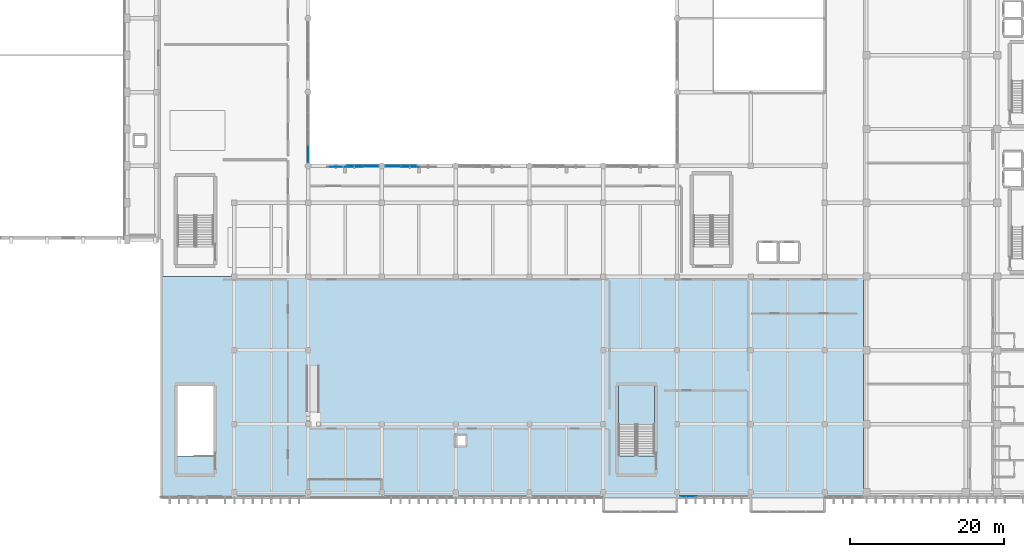
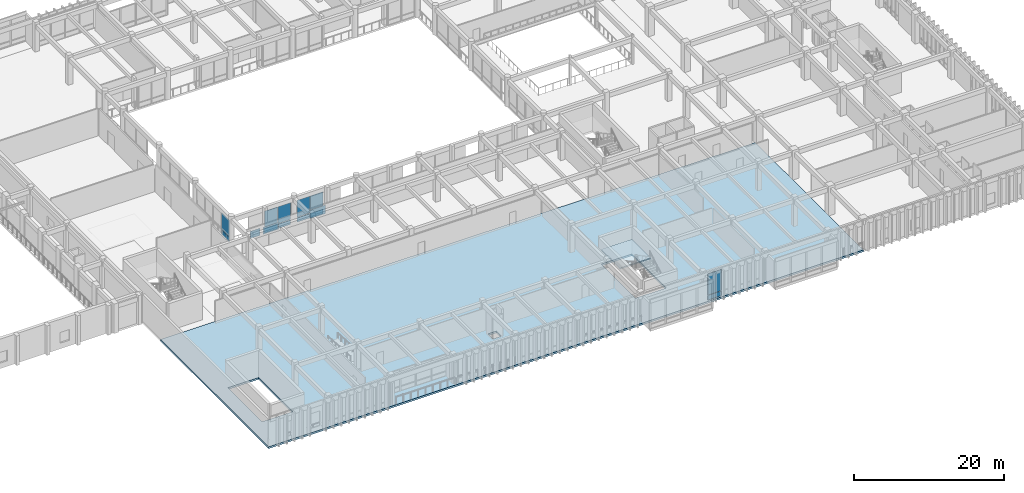
# One storey, part 89 of 133: 15 plates, 2 slabs, 5 elements without a shape of their own.
"""IFC4 building model written with IfcOpenShell, lengths in metres."""

from ifc_helpers import new_model, si_unit, direction, frame, origin, origin_2d, place, context, subcontext, project, spatial, polyline, rectangle, outline, extrude, material, layer, layer_set, type_object, element, aggregate, save


model = new_model("IFC4")

# Units and contexts
model_context = context("Model", 3, precision=1e-05, world=origin(), true_north=direction((0.0, 1.0)))
body_context = subcontext(model_context, "Body", "Model", "MODEL_VIEW")
ifc_project = project(units=[si_unit("LENGTHUNIT", "METRE"), si_unit("AREAUNIT", "SQUARE_METRE"), si_unit("VOLUMEUNIT", "CUBIC_METRE"), si_unit("PLANEANGLEUNIT", "RADIAN"), si_unit("MASSUNIT", "GRAM", prefix="KILO")], contexts=[model_context])

# Site, building, storey
site_placement = place(None, origin())
site = spatial("IfcSite", under=ifc_project, at=site_placement, CompositionType="ELEMENT")
building_placement = place(site_placement, origin())
building = spatial("IfcBuilding", under=site, at=building_placement, Name="Nakhvara Creek Congress Hotel", CompositionType="ELEMENT")
storey_placement = place(building_placement, frame((0.0, 0.0, 11.39990234375)))
storey = spatial("IfcBuildingStorey", under=building, at=storey_placement, Name="L02", CompositionType="ELEMENT", Elevation=11.39990234375)

# Plates
ifc_material_1 = material(Name="Perforated champagne-bronze anodised aluminium sheet", Category="aluminium")
plate_type_1 = type_object("IfcPlateType", Name="PLT-MSH-150X115", PredefinedType="SHEET", material=ifc_material_1)
plate_1_placement = place(storey_placement, frame((80.39990234375, 43.10009765625, 0.020263671875), z_axis=(0.0, 0.0, 1.0), x_axis=(1.0, 0.0, 0.0)))
element("IfcPlate", 1, at=plate_1_placement, inside=storey, type_object=plate_type_1, Name="Mashrabiya Spandrel Plate 011", PredefinedType="SHEET", context=body_context, shape_type="SweptSolid", body=[
    extrude(rectangle(XDim=1.5, YDim=0.033935546875, at=origin_2d()), origin(), (0.0, 0.0, 1.0), 1.14990234375),
])
plate_type_2 = type_object("IfcPlateType", Name="PLT-MSH-240X110", PredefinedType="SHEET", material=ifc_material_1)
plate_2_placement = place(storey_placement, frame((82.800048828125, 43.10009765625, 0.02001953125), z_axis=(0.0, 0.0, 1.0), x_axis=(1.0, 0.0, 0.0)))
element("IfcPlate", 2, at=plate_2_placement, inside=storey, type_object=plate_type_2, Name="Mashrabiya Spandrel Plate 012", PredefinedType="SHEET", context=body_context, shape_type="SweptSolid", body=[
    extrude(rectangle(XDim=2.360107421875, YDim=0.035888671875, at=origin_2d()), origin(), (0.0, 0.0, 1.0), 1.10009765625),
])
plate_type_3 = type_object("IfcPlateType", Name="PLT-MSH-240X140", PredefinedType="SHEET", material=ifc_material_1)
plate_3_placement = place(storey_placement, frame((90.0, 43.10009765625, 0.020263671875), z_axis=(0.0, 0.0, 1.0), x_axis=(1.0, 0.0, 0.0)))
element("IfcPlate", 3, at=plate_3_placement, inside=storey, type_object=plate_type_3, Name="Mashrabiya Spandrel Plate 013", PredefinedType="SHEET", context=body_context, shape_type="SweptSolid", body=[
    extrude(rectangle(XDim=2.360107421875, YDim=0.0380859375, at=origin_2d()), origin(), (0.0, 0.0, 1.0), 1.39990234375),
])

# Curtain wall, plates
ifc_material_2 = material(Name="Bronze-anodised aluminium AW-6063-T6 and double-silver low-E glass", Category="aluminium")
ifc_layer_1 = layer(ifc_material_2, 0.199951171875)
ifc_layer_set_1 = layer_set([ifc_layer_1], Name="Bronze-anodised aluminium AW-6063-T6 and double-silver low-E glass")
curtain_wall_type_1 = type_object("IfcCurtainWallType", Name="CW-POD-STICK", PredefinedType="NOTDEFINED", material=ifc_layer_set_1)
curtain_wall_1_placement = place(storey_placement, origin())
curtain_wall_1 = element("IfcCurtainWall", 4, at=curtain_wall_1_placement, inside=storey, type_object=curtain_wall_type_1, Name="Curtain Wall CW033", PredefinedType="NOTDEFINED")
ifc_material_3 = material(Name="Double-silver solar-control low-E insulated glass", Category="glass")
plate_type_4 = type_object("IfcPlateType", Name="PNL-GLZ-240X260", PredefinedType="CURTAIN_PANEL", material=ifc_material_3)
plate_4_placement = place(storey_placement, frame((82.892578125, 43.199951171875, 0.065185546875), z_axis=(0.0, 0.0, 1.0), x_axis=(1.0, 0.0, 0.0)))
plate_4 = element("IfcPlate", 5, at=plate_4_placement, type_object=plate_type_4, Name="CW033 panel 1.1", PredefinedType="CURTAIN_PANEL", context=body_context, shape_type="SweptSolid", body=[
    extrude(rectangle(XDim=1.97509765625, YDim=0.030029296875, at=origin_2d()), origin(), (0.0, 0.0, 1.0), 0.75244140625),
])
plate_5_placement = place(storey_placement, frame((82.892578125, 43.199951171875, 0.8828125), z_axis=(0.0, 0.0, 1.0), x_axis=(1.0, 0.0, 0.0)))
plate_5 = element("IfcPlate", 6, at=plate_5_placement, type_object=plate_type_4, Name="CW033 panel 1.2", PredefinedType="CURTAIN_PANEL", context=body_context, shape_type="SweptSolid", body=[
    extrude(rectangle(XDim=1.97509765625, YDim=0.030029296875, at=origin_2d()), origin(), (0.0, 0.0, 1.0), 2.744384765625),
])
plate_6_placement = place(storey_placement, frame((84.9326171875, 43.199951171875, 0.065185546875), z_axis=(0.0, 0.0, 1.0), x_axis=(1.0, 0.0, 0.0)))
plate_6 = element("IfcPlate", 7, at=plate_6_placement, type_object=plate_type_4, Name="CW033 panel 2.1", PredefinedType="CURTAIN_PANEL", context=body_context, shape_type="SweptSolid", body=[
    extrude(rectangle(XDim=1.97509765625, YDim=0.030029296875, at=origin_2d()), origin(), (0.0, 0.0, 1.0), 0.75244140625),
])
plate_7_placement = place(storey_placement, frame((84.9326171875, 43.199951171875, 0.8828125), z_axis=(0.0, 0.0, 1.0), x_axis=(1.0, 0.0, 0.0)))
plate_7 = element("IfcPlate", 8, at=plate_7_placement, type_object=plate_type_4, Name="CW033 panel 2.2", PredefinedType="CURTAIN_PANEL", context=body_context, shape_type="SweptSolid", body=[
    extrude(rectangle(XDim=1.97509765625, YDim=0.030029296875, at=origin_2d()), origin(), (0.0, 0.0, 1.0), 2.744384765625),
])
aggregate(curtain_wall_1, [plate_4, plate_5, plate_6, plate_7])

curtain_wall_2_placement = place(storey_placement, origin())
curtain_wall_2 = element("IfcCurtainWall", 9, at=curtain_wall_2_placement, inside=storey, type_object=curtain_wall_type_1, Name="Curtain Wall CW035", PredefinedType="NOTDEFINED")
plate_8_placement = place(storey_placement, frame((87.867431640625, 43.199951171875, 0.065185546875), z_axis=(0.0, 0.0, 1.0), x_axis=(1.0, 0.0, 0.0)))
plate_8 = element("IfcPlate", 10, at=plate_8_placement, type_object=plate_type_4, Name="CW035 panel 1.1", PredefinedType="CURTAIN_PANEL", context=body_context, shape_type="SweptSolid", body=[
    extrude(rectangle(XDim=1.97509765625, YDim=0.030029296875, at=origin_2d()), origin(), (0.0, 0.0, 1.0), 0.75244140625),
])
plate_9_placement = place(storey_placement, frame((87.867431640625, 43.199951171875, 0.8828125), z_axis=(0.0, 0.0, 1.0), x_axis=(1.0, 0.0, 0.0)))
plate_9 = element("IfcPlate", 11, at=plate_9_placement, type_object=plate_type_4, Name="CW035 panel 1.2", PredefinedType="CURTAIN_PANEL", context=body_context, shape_type="SweptSolid", body=[
    extrude(rectangle(XDim=1.97509765625, YDim=0.030029296875, at=origin_2d()), origin(), (0.0, 0.0, 1.0), 2.744384765625),
])
plate_10_placement = place(storey_placement, frame((89.907470703125, 43.199951171875, 0.065185546875), z_axis=(0.0, 0.0, 1.0), x_axis=(1.0, 0.0, 0.0)))
plate_10 = element("IfcPlate", 12, at=plate_10_placement, type_object=plate_type_4, Name="CW035 panel 2.1", PredefinedType="CURTAIN_PANEL", context=body_context, shape_type="SweptSolid", body=[
    extrude(rectangle(XDim=1.97509765625, YDim=0.030029296875, at=origin_2d()), origin(), (0.0, 0.0, 1.0), 0.75244140625),
])
plate_11_placement = place(storey_placement, frame((89.907470703125, 43.199951171875, 0.8828125), z_axis=(0.0, 0.0, 1.0), x_axis=(1.0, 0.0, 0.0)))
plate_11 = element("IfcPlate", 13, at=plate_11_placement, type_object=plate_type_4, Name="CW035 panel 2.2", PredefinedType="CURTAIN_PANEL", context=body_context, shape_type="SweptSolid", body=[
    extrude(rectangle(XDim=1.97509765625, YDim=0.030029296875, at=origin_2d()), origin(), (0.0, 0.0, 1.0), 2.744384765625),
])
aggregate(curtain_wall_2, [plate_8, plate_9, plate_10, plate_11])

curtain_wall_3_placement = place(storey_placement, origin())
curtain_wall_3 = element("IfcCurtainWall", 14, at=curtain_wall_3_placement, inside=storey, type_object=curtain_wall_type_1, Name="Curtain Wall CW043", PredefinedType="NOTDEFINED")
plate_12_placement = place(storey_placement, frame((76.800048828125, 44.7275390625, 0.065185546875), z_axis=(0.0, 0.0, 1.0), x_axis=(0.0, -1.0, 0.0)))
plate_12 = element("IfcPlate", 15, at=plate_12_placement, type_object=plate_type_4, Name="CW043 panel 4.1", PredefinedType="CURTAIN_PANEL", context=body_context, shape_type="SweptSolid", body=[
    extrude(rectangle(XDim=2.094970703125, YDim=0.030029296875, at=origin_2d()), origin(), (0.0, 0.0, 1.0), 0.75244140625),
])
plate_13_placement = place(storey_placement, frame((76.800048828125, 44.7275390625, 0.8828125), z_axis=(0.0, 0.0, 1.0), x_axis=(0.0, -1.0, 0.0)))
plate_13 = element("IfcPlate", 16, at=plate_13_placement, type_object=plate_type_4, Name="CW043 panel 4.2", PredefinedType="CURTAIN_PANEL", context=body_context, shape_type="SweptSolid", body=[
    extrude(rectangle(XDim=2.094970703125, YDim=0.030029296875, at=origin_2d()), origin(), (0.0, 0.0, 1.0), 2.744384765625),
])
aggregate(curtain_wall_3, [plate_12, plate_13])

ifc_layer_2 = layer(ifc_material_2, 0.199951171875)
ifc_layer_set_2 = layer_set([ifc_layer_2], Name="Bronze-anodised aluminium AW-6063-T6 and double-silver low-E glass")
curtain_wall_type_2 = type_object("IfcCurtainWallType", Name="CW-SPA-STICK", PredefinedType="NOTDEFINED", material=ifc_layer_set_2)
curtain_wall_4_placement = place(storey_placement, origin())
curtain_wall_4 = element("IfcCurtainWall", 17, at=curtain_wall_4_placement, inside=storey, type_object=curtain_wall_type_2, Name="Curtain Wall CW096", PredefinedType="NOTDEFINED")
plate_14_placement = place(storey_placement, frame((126.2900390625, 0.199951171875, 0.065185546875), z_axis=(0.0, 0.0, 1.0), x_axis=(-1.0, 0.0, 0.0)))
plate_14 = element("IfcPlate", 18, at=plate_14_placement, type_object=plate_type_4, Name="CW096 panel 4.1", PredefinedType="CURTAIN_PANEL", context=body_context, shape_type="SweptSolid", body=[
    extrude(rectangle(XDim=2.1201171875, YDim=0.030029296875, at=origin_2d()), origin(), (0.0, 0.0, 1.0), 0.75244140625),
])
plate_15_placement = place(storey_placement, frame((126.2900390625, 0.199951171875, 0.882568359375), z_axis=(0.0, 0.0, 1.0), x_axis=(-1.0, 0.0, 0.0)))
plate_15 = element("IfcPlate", 19, at=plate_15_placement, type_object=plate_type_4, Name="CW096 panel 4.2", PredefinedType="CURTAIN_PANEL", context=body_context, shape_type="SweptSolid", body=[
    extrude(rectangle(XDim=2.1201171875, YDim=0.030029296875, at=origin_2d()), origin(), (0.0, 0.0, 1.0), 3.4423828125),
])
aggregate(curtain_wall_4, [plate_14, plate_15])

# Slab
ifc_material_4 = material(Name="Concrete C40/50", Category="concrete")
ifc_layer_3 = layer(ifc_material_4, 0.300048828125)
ifc_layer_set_3 = layer_set([ifc_layer_3], Name="Concrete C40/50")
slab_type_1 = type_object("IfcSlabType", Name="SL-FLR-300", PredefinedType="FLOOR", material=ifc_layer_set_3)
slab_1_placement = place(storey_placement, frame((0.0, 0.0, -0.2998046875)))
element("IfcSlab", 20, at=slab_1_placement, inside=storey, type_object=slab_type_1, Name="Structural Slab SLB-L02-V4", PredefinedType="FLOOR", context=body_context, shape_type="SweptSolid", body=[
    extrude(outline(polyline([(57.60009765625, 28.800048828125), (149.050048828125, 28.800048828125), (149.050048828125, 0.0), (57.60009765625, 0.0), (57.60009765625, 28.800048828125)]), holes=[polyline([(96.0, 8.10009765625), (96.0, 6.800048828125), (97.300048828125, 6.800048828125), (97.300048828125, 8.10009765625), (96.0, 8.10009765625)]), polyline([(59.77001953125, 14.60009765625), (59.77001953125, 5.47998046875), (64.47998046875, 5.47998046875), (64.47998046875, 14.60009765625), (59.77001953125, 14.60009765625)]), polyline([(117.169921875, 14.60009765625), (117.169921875, 5.47998046875), (121.8798828125, 5.47998046875), (121.8798828125, 14.60009765625), (117.169921875, 14.60009765625)])]), origin(), (0.0, 0.0, 1.0), 0.2998046875),
])

# Stair, slab
stair_type = type_object("IfcStairType", Name="ST-CORE-230", PredefinedType="HALF_TURN_STAIR", material=ifc_material_4)
stair_placement = place(storey_placement, origin())
stair = element("IfcStair", 21, at=stair_placement, inside=storey, type_object=stair_type, Name="L02 Protected Exit Stair ST12", PredefinedType="HALF_TURN_STAIR")
ifc_layer_4 = layer(ifc_material_4, 0.199951171875)
ifc_layer_set_4 = layer_set([ifc_layer_4], Name="Concrete C40/50")
slab_type_2 = type_object("IfcSlabType", Name="SL-LAND-200", PredefinedType="LANDING", material=ifc_layer_set_4)
slab_2_placement = place(storey_placement, frame((0.0, 0.0, 2.2001953125)))
slab_2 = element("IfcSlab", 22, at=slab_2_placement, type_object=slab_type_2, Name="ST12 landing 1", PredefinedType="LANDING", context=body_context, shape_type="SweptSolid", body=[
    extrude(outline(polyline([(121.8798828125, 9.574951171875), (121.8798828125, 14.60009765625), (117.169921875, 14.60009765625), (117.169921875, 9.574951171875), (121.8798828125, 9.574951171875)])), origin(), (0.0, 0.0, 1.0), 0.199951171875),
])
aggregate(stair, [slab_2])

save(model, "model.ifc")
